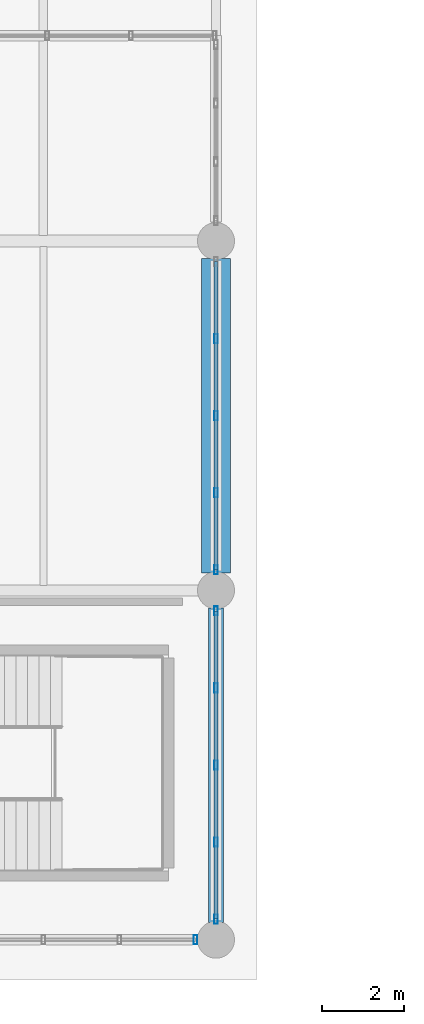
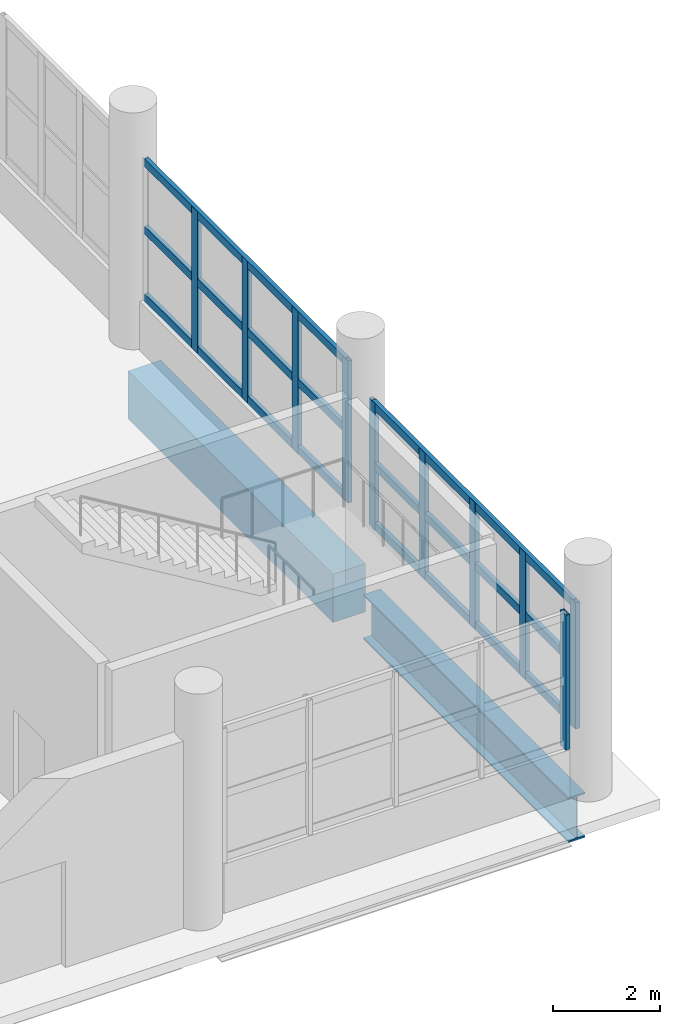
# One storey, part 57 of 107: 16 members, 2 beams, 3 elements without a shape of their own.
"""IFC4 building model written with IfcOpenShell, lengths in metres."""

import ifcopenshell
import ifcopenshell.guid

model = None  # the IFC model being written
_history = None  # IfcOwnerHistory: only IFC2X3 demands one
_inside = {}  # id of a spatial element -> (the spatial element, [elements in it])
_under = {}  # id of a project, library or spatial element -> (it, [spatial elements below it])
_declared = {}  # id of a project -> (the project, [libraries it declares])
_typed = {}  # id of a type object -> (the type object, [elements of that type])
_made_of = {}  # id of a material, layer set ... -> (it, [elements and type objects made of it])


def new_model(schema):
    """Start an empty IFC model of exactly this schema.

    Asked for "IFC4X3", IfcOpenShell would pick the latest addendum, in which some entities
    have other attributes; the version numbers below select the first issue.
    IFC2X3 requires an IfcOwnerHistory on every rooted entity: one is made here for all.
    """
    global model, _history
    if schema == "IFC4X3":
        model = ifcopenshell.file(schema_version=(4, 3, 0, 0))
    else:
        model = ifcopenshell.file(schema=schema)
    _inside.clear()
    _under.clear()
    _declared.clear()
    _typed.clear()
    _made_of.clear()
    _history = None
    if model.schema == "IFC2X3":
        org = make("IfcOrganization", Name="unknown")
        user = make(
            "IfcPersonAndOrganization",
            ThePerson=make("IfcPerson", FamilyName="unknown"),
            TheOrganization=org,
        )
        app = make(
            "IfcApplication",
            ApplicationDeveloper=org,
            Version="unknown",
            ApplicationFullName="unknown",
            ApplicationIdentifier="unknown",
        )
        _history = make(
            "IfcOwnerHistory",
            OwningUser=user,
            OwningApplication=app,
            ChangeAction="ADDED",
            CreationDate=0,
        )
    return model


def make(cls, **values):
    """One entity of the class cls with the attributes given. An attribute that is None is left unset."""
    return model.create_entity(
        cls, **{name: value for name, value in values.items() if value is not None}
    )


def rooted(cls, **values):
    """An entity with a GlobalId (a new one), such as an element, a storey or a relation."""
    return make(cls, GlobalId=ifcopenshell.guid.new(), OwnerHistory=_history, **values)


def si_unit(unit_type, name, prefix=None):
    """IfcSIUnit, for example si_unit("LENGTHUNIT", "METRE", prefix="MILLI")."""
    return make("IfcSIUnit", UnitType=unit_type, Prefix=prefix, Name=name)


def assignment(units):
    """IfcUnitAssignment: the units of a project."""
    return None if units is None else make("IfcUnitAssignment", Units=units)


def point(xyz):
    """IfcCartesianPoint."""
    return None if xyz is None else make("IfcCartesianPoint", Coordinates=xyz)


def direction(xyz):
    """IfcDirection."""
    return None if xyz is None else make("IfcDirection", DirectionRatios=xyz)


def frame(location, z_axis=None, x_axis=None):
    """IfcAxis2Placement3D, a coordinate frame: its origin and axes. An axis left out is left unset."""
    return make(
        "IfcAxis2Placement3D",
        Location=point(location),
        Axis=direction(z_axis),
        RefDirection=direction(x_axis),
    )


def frame_2d(location, x_axis=None):
    """IfcAxis2Placement2D, a coordinate frame in the plane: its origin and x axis."""
    return make(
        "IfcAxis2Placement2D", Location=point(location), RefDirection=direction(x_axis)
    )


def origin():
    """The frame at (0, 0, 0) with its axes left unset."""
    return frame((0.0, 0.0, 0.0))


def origin_2d():
    """The frame at (0, 0) in the plane with its x axis left unset."""
    return frame_2d((0.0, 0.0))


def place(relative_to, where):
    """IfcLocalPlacement: puts the frame where relative to a parent placement (None: the world)."""
    return make(
        "IfcLocalPlacement", PlacementRelTo=relative_to, RelativePlacement=where
    )


def context(
    kind, dimensions, precision=None, world=None, true_north=None, identifier=None
):
    """IfcGeometricRepresentationContext, for example the 3D "Model" context."""
    return make(
        "IfcGeometricRepresentationContext",
        ContextIdentifier=identifier,
        ContextType=kind,
        CoordinateSpaceDimension=dimensions,
        Precision=precision,
        WorldCoordinateSystem=world,
        TrueNorth=true_north,
    )


def subcontext(parent, identifier, kind, view, scale=None):
    """IfcGeometricRepresentationSubContext, for example "Body" below "Model"."""
    return make(
        "IfcGeometricRepresentationSubContext",
        ContextIdentifier=identifier,
        ContextType=kind,
        ParentContext=parent,
        TargetScale=scale,
        TargetView=view,
    )


def project(units=None, contexts=None):
    """IfcProject with its units and contexts."""
    return rooted(
        "IfcProject",
        Name="project",
        RepresentationContexts=contexts,
        UnitsInContext=assignment(units),
    )


def spatial(cls, under=None, at=None, **own):
    """A site, building, storey or space (cls), placed at a placement, below another one or the project."""
    s = rooted(cls, ObjectPlacement=at, **own)
    if under is not None:
        _under.setdefault(under.id(), (under, []))[1].append(s)
    return s


def profile(cls, at=None, kind="AREA", **sizes):
    """A parametric profile (cls). Its sizes go by their IFC names, for example OverallWidth=200.0."""
    return make(cls, ProfileType=kind, Position=at, **sizes)


def rectangle(**sizes):
    """IfcRectangleProfileDef."""
    return profile("IfcRectangleProfileDef", **sizes)


def hollow_rectangle(**sizes):
    """IfcRectangleHollowProfileDef."""
    return profile("IfcRectangleHollowProfileDef", **sizes)


def i_section(**sizes):
    """IfcIShapeProfileDef."""
    return profile("IfcIShapeProfileDef", **sizes)


def extrude(swept, where, along, depth):
    """IfcExtrudedAreaSolid: the profile swept, set in the frame where, extruded along a direction by depth."""
    return make(
        "IfcExtrudedAreaSolid",
        SweptArea=swept,
        Position=where,
        ExtrudedDirection=direction(along),
        Depth=depth,
    )


def shape(context_of_items, identifier, shape_type, items):
    """IfcShapeRepresentation: the items that make up one representation, for example the "Body"."""
    return make(
        "IfcShapeRepresentation",
        ContextOfItems=context_of_items,
        RepresentationIdentifier=identifier,
        RepresentationType=shape_type,
        Items=items,
    )


def material(Name=None, Category=None):
    """IfcMaterial."""
    return make("IfcMaterial", Name=Name, Category=Category)


def material_profile(
    of_material, cross_section, Name=None, Category=None, Priority=None
):
    """IfcMaterialProfile: a cross section and its material."""
    return make(
        "IfcMaterialProfile",
        Name=Name,
        Material=of_material,
        Profile=cross_section,
        Priority=Priority,
        Category=Category,
    )


def profile_set(profiles, Name=None, composite=None):
    """IfcMaterialProfileSet."""
    return make(
        "IfcMaterialProfileSet",
        Name=Name,
        MaterialProfiles=profiles,
        CompositeProfile=composite,
    )


def made_of(thing, what):
    """Note that an element or type object is made of a material, layer set ...; save() writes the relation."""
    if what is not None:
        _made_of.setdefault(what.id(), (what, []))[1].append(thing)
    return thing


def type_object(cls, material=None, **own):
    """A type object (cls), such as IfcWallType, which elements share."""
    return made_of(rooted(cls, **own), material)


def element(
    cls,
    number,
    at=None,
    inside=None,
    cuts=None,
    type_object=None,
    material=None,
    context=None,
    identifier="Body",
    shape_type=None,
    held_by="IfcProductDefinitionShape",
    body=None,
    shapes=None,
    **own,
):
    """One element of the class cls, such as IfcWall. Its Tag is "e" and its number.

    at: its placement. inside: the storey or other place that contains it. cuts: it is an
    opening in that element (IfcRelVoidsElement). A single representation is given by context,
    identifier, shape_type and body (its items); several are given by shapes. held_by: the class
    of the entity that holds the representations. save() writes the other relations.
    """
    e = rooted(cls, Tag="e%d" % number, ObjectPlacement=at, **own)
    if body is not None:
        shapes = [shape(context, identifier, shape_type, body)]
    if shapes is not None:
        e.Representation = make(held_by, Representations=shapes)
    if inside is not None:
        _inside.setdefault(inside.id(), (inside, []))[1].append(e)
    if cuts is not None:
        rooted(
            "IfcRelVoidsElement", RelatingBuildingElement=cuts, RelatedOpeningElement=e
        )
    if type_object is not None:
        _typed.setdefault(type_object.id(), (type_object, []))[1].append(e)
    return made_of(e, material)


def aggregate(whole, parts):
    """IfcRelAggregates: a whole, such as a stair, and the parts it consists of."""
    return rooted("IfcRelAggregates", RelatingObject=whole, RelatedObjects=parts)


def save(model, path):
    """Write the relations noted so far, then the file.

    IfcRelAggregates (storeys below a building ...), IfcRelContainedInSpatialStructure (elements
    in a storey), IfcRelDefinesByType, IfcRelAssociatesMaterial and IfcRelDeclares: one each for
    every whole, place, type object, material and project.
    """
    for whole, parts in _under.values():
        aggregate(whole, parts)
    for where, things in _inside.values():
        rooted(
            "IfcRelContainedInSpatialStructure",
            RelatedElements=things,
            RelatingStructure=where,
        )
    for kind, things in _typed.values():
        rooted("IfcRelDefinesByType", RelatedObjects=things, RelatingType=kind)
    for what, things in _made_of.values():
        rooted("IfcRelAssociatesMaterial", RelatedObjects=things, RelatingMaterial=what)
    for by, libraries in _declared.values():
        rooted("IfcRelDeclares", RelatingContext=by, RelatedDefinitions=libraries)
    model.write(path)


model = new_model("IFC4")

# Units and contexts
model_context = context("Model", 3, precision=1e-05, world=origin(), true_north=direction((0.0, 1.0)))
body_context = subcontext(model_context, "Body", "Model", "MODEL_VIEW")
ifc_project = project(units=[si_unit("LENGTHUNIT", "METRE"), si_unit("AREAUNIT", "SQUARE_METRE"), si_unit("VOLUMEUNIT", "CUBIC_METRE"), si_unit("PLANEANGLEUNIT", "RADIAN"), si_unit("MASSUNIT", "GRAM", prefix="KILO")], contexts=[model_context])

# Site, building, storey
site_placement = place(None, origin())
site = spatial("IfcSite", under=ifc_project, at=site_placement, CompositionType="ELEMENT")
building_placement = place(site_placement, origin())
building = spatial("IfcBuilding", under=site, at=building_placement, Name="Solvento Point Concert Hall", CompositionType="ELEMENT")
storey_placement = place(building_placement, origin())
storey = spatial("IfcBuildingStorey", under=building, at=storey_placement, Name="L00", CompositionType="ELEMENT", Elevation=0.0)

# Beams
ifc_material_1 = material(Name="Concrete C35/45", Category="concrete")
ifc_material_profile_1 = material_profile(ifc_material_1, rectangle(XDim=0.699951171875, YDim=1.10009765625, at=origin_2d()), Name="RC-BM-700X1100")
ifc_profile_set_1 = profile_set([ifc_material_profile_1], Name="Concrete C35/45")
beam_type_1 = type_object("IfcBeamType", Name="Girder_RC_700x1100", PredefinedType="USERDEFINED", material=ifc_profile_set_1)
beam_1_placement = place(storey_placement, frame((208.800048828125, 8.924072265625, -0.964111328125), z_axis=(0.0, 1.0, 0.0), x_axis=(-1.0, 0.0, 0.0)))
element("IfcBeam", 1, at=beam_1_placement, inside=storey, type_object=beam_type_1, Name="Primary girder B-49 L00", ObjectType="GIRDER", PredefinedType="USERDEFINED", context=body_context, shape_type="SweptSolid", body=[
    extrude(rectangle(XDim=0.699951171875, YDim=1.10009765625, at=origin_2d()), origin(), (0.0, 0.0, 1.0), 7.65185546875),
])
ifc_material_2 = material(Name="Structural Steel ASTM A992 Grade 50", Category="steel")
ifc_material_profile_2 = material_profile(ifc_material_2, i_section(OverallWidth=0.361083984375, OverallDepth=1.02587890625, WebThickness=0.01904296875, FlangeThickness=0.0361328125, at=origin_2d()), Name="W40X249")
ifc_profile_set_2 = profile_set([ifc_material_profile_2], Name="Structural Steel ASTM A992 Grade 50")
beam_type_2 = type_object("IfcBeamType", Name="Girder_W40X249", PredefinedType="USERDEFINED", material=ifc_profile_set_2)
beam_2_placement = place(storey_placement, frame((208.800048828125, 0.424072265625, -0.927001953125), z_axis=(0.0, 1.0, 0.0), x_axis=(-1.0, 0.0, 0.0)))
element("IfcBeam", 2, at=beam_2_placement, inside=storey, type_object=beam_type_2, Name="Primary girder B-29 L00", ObjectType="GIRDER", PredefinedType="USERDEFINED", context=body_context, shape_type="SweptSolid", body=[
    extrude(i_section(OverallWidth=0.361083984375, OverallDepth=1.02587890625, WebThickness=0.01904296875, FlangeThickness=0.0361328125, at=origin_2d()), origin(), (0.0, 0.0, 1.0), 7.65185546875),
])

# Curtain wall, members
ifc_material_3 = material(Name="Anodized Bronze Aluminium", Category="aluminium")
curtain_wall_type = type_object("IfcCurtainWallType", Name="CurtainWall_CafeVeranda", PredefinedType="USERDEFINED", material=ifc_material_3)
curtain_wall_1_placement = place(storey_placement, origin())
curtain_wall_1 = element("IfcCurtainWall", 3, at=curtain_wall_1_placement, inside=storey, type_object=curtain_wall_type, Name="Unitised curtain wall CW-42 UCW-L00-046", ObjectType="UNITISED CURTAIN WALL", PredefinedType="USERDEFINED")
ifc_material_4 = material(Name="Anodized Bronze Aluminium", Category="aluminium")
ifc_material_profile_3 = material_profile(ifc_material_4, hollow_rectangle(XDim=0.090087890625, YDim=0.219970703125, WallThickness=0.00439453125, at=origin_2d()), Name="CW-MUL-90X220")
ifc_profile_set_3 = profile_set([ifc_material_profile_3], Name="Anodized Bronze Aluminium")
member_type_1 = type_object("IfcMemberType", Name="Mullion_90x220", PredefinedType="MULLION", material=ifc_profile_set_3)
member_1_placement = place(storey_placement, frame((208.800048828125, 0.5, 1.1201171875), z_axis=(0.0, 0.0, 1.0), x_axis=(1.0, 0.0, 0.0)))
member_1 = element("IfcMember", 4, at=member_1_placement, type_object=member_type_1, Name="Curtain wall mullion ML-02", PredefinedType="MULLION", context=body_context, shape_type="SweptSolid", body=[
    extrude(hollow_rectangle(XDim=0.090087890625, YDim=0.219970703125, WallThickness=0.00439453125, at=origin_2d()), origin(), (0.0, 0.0, 1.0), 2.8837890625),
])
member_2_placement = place(storey_placement, frame((208.800048828125, 2.375, 1.1201171875), z_axis=(0.0, 0.0, 1.0), x_axis=(1.0, 0.0, 0.0)))
member_2 = element("IfcMember", 5, at=member_2_placement, type_object=member_type_1, Name="Curtain wall mullion ML-02", PredefinedType="MULLION", context=body_context, shape_type="SweptSolid", body=[
    extrude(hollow_rectangle(XDim=0.090087890625, YDim=0.219970703125, WallThickness=0.00439453125, at=origin_2d()), origin(), (0.0, 0.0, 1.0), 2.8837890625),
])
member_3_placement = place(storey_placement, frame((208.800048828125, 4.25, 1.1201171875), z_axis=(0.0, 0.0, 1.0), x_axis=(1.0, 0.0, 0.0)))
member_3 = element("IfcMember", 6, at=member_3_placement, type_object=member_type_1, Name="Curtain wall mullion ML-02", PredefinedType="MULLION", context=body_context, shape_type="SweptSolid", body=[
    extrude(hollow_rectangle(XDim=0.090087890625, YDim=0.219970703125, WallThickness=0.00439453125, at=origin_2d()), origin(), (0.0, 0.0, 1.0), 2.8837890625),
])
member_4_placement = place(storey_placement, frame((208.800048828125, 6.125, 1.1201171875), z_axis=(0.0, 0.0, 1.0), x_axis=(1.0, 0.0, 0.0)))
member_4 = element("IfcMember", 7, at=member_4_placement, type_object=member_type_1, Name="Curtain wall mullion ML-02", PredefinedType="MULLION", context=body_context, shape_type="SweptSolid", body=[
    extrude(hollow_rectangle(XDim=0.090087890625, YDim=0.219970703125, WallThickness=0.00439453125, at=origin_2d()), origin(), (0.0, 0.0, 1.0), 2.8837890625),
])
member_5_placement = place(storey_placement, frame((208.800048828125, 8.0, 1.1201171875), z_axis=(0.0, 0.0, 1.0), x_axis=(1.0, 0.0, 0.0)))
member_5 = element("IfcMember", 8, at=member_5_placement, type_object=member_type_1, Name="Curtain wall mullion ML-02", PredefinedType="MULLION", context=body_context, shape_type="SweptSolid", body=[
    extrude(hollow_rectangle(XDim=0.090087890625, YDim=0.219970703125, WallThickness=0.00439453125, at=origin_2d()), origin(), (0.0, 0.0, 1.0), 2.8837890625),
])

curtain_wall_2_placement = place(storey_placement, origin())
curtain_wall_2 = element("IfcCurtainWall", 9, at=curtain_wall_2_placement, inside=storey, type_object=curtain_wall_type, Name="Unitised curtain wall CW-42 UCW-L00-047", ObjectType="UNITISED CURTAIN WALL", PredefinedType="USERDEFINED")
member_6_placement = place(storey_placement, frame((208.800048828125, 9.0, 1.1201171875), z_axis=(0.0, 0.0, 1.0), x_axis=(1.0, 0.0, 0.0)))
member_6 = element("IfcMember", 10, at=member_6_placement, type_object=member_type_1, Name="Curtain wall mullion ML-02", PredefinedType="MULLION", context=body_context, shape_type="SweptSolid", body=[
    extrude(hollow_rectangle(XDim=0.090087890625, YDim=0.219970703125, WallThickness=0.00439453125, at=origin_2d()), origin(), (0.0, 0.0, 1.0), 3.23583984375),
])
member_7_placement = place(storey_placement, frame((208.800048828125, 10.875, 1.1201171875), z_axis=(0.0, 0.0, 1.0), x_axis=(1.0, 0.0, 0.0)))
member_7 = element("IfcMember", 11, at=member_7_placement, type_object=member_type_1, Name="Curtain wall mullion ML-02", PredefinedType="MULLION", context=body_context, shape_type="SweptSolid", body=[
    extrude(hollow_rectangle(XDim=0.090087890625, YDim=0.219970703125, WallThickness=0.00439453125, at=origin_2d()), origin(), (0.0, 0.0, 1.0), 3.23583984375),
])
member_8_placement = place(storey_placement, frame((208.800048828125, 12.75, 1.1201171875), z_axis=(0.0, 0.0, 1.0), x_axis=(1.0, 0.0, 0.0)))
member_8 = element("IfcMember", 12, at=member_8_placement, type_object=member_type_1, Name="Curtain wall mullion ML-02", PredefinedType="MULLION", context=body_context, shape_type="SweptSolid", body=[
    extrude(hollow_rectangle(XDim=0.090087890625, YDim=0.219970703125, WallThickness=0.00439453125, at=origin_2d()), origin(), (0.0, 0.0, 1.0), 3.23583984375),
])
member_9_placement = place(storey_placement, frame((208.800048828125, 14.625, 1.1201171875), z_axis=(0.0, 0.0, 1.0), x_axis=(1.0, 0.0, 0.0)))
member_9 = element("IfcMember", 13, at=member_9_placement, type_object=member_type_1, Name="Curtain wall mullion ML-02", PredefinedType="MULLION", context=body_context, shape_type="SweptSolid", body=[
    extrude(hollow_rectangle(XDim=0.090087890625, YDim=0.219970703125, WallThickness=0.00439453125, at=origin_2d()), origin(), (0.0, 0.0, 1.0), 3.23583984375),
])

# Curtain wall, member
curtain_wall_3_placement = place(storey_placement, origin())
curtain_wall_3 = element("IfcCurtainWall", 14, at=curtain_wall_3_placement, inside=storey, type_object=curtain_wall_type, Name="Unitised curtain wall CW-42 UCW-L00-051", ObjectType="UNITISED CURTAIN WALL", PredefinedType="USERDEFINED")
member_10_placement = place(storey_placement, frame((208.300048828125, 0.0, 1.1201171875), z_axis=(0.0, 0.0, 1.0), x_axis=(1.0, 0.0, 0.0)))
member_10 = element("IfcMember", 15, at=member_10_placement, type_object=member_type_1, Name="Curtain wall mullion ML-02", PredefinedType="MULLION", context=body_context, shape_type="SweptSolid", body=[
    extrude(hollow_rectangle(XDim=0.090087890625, YDim=0.219970703125, WallThickness=0.00439453125, at=origin_2d()), origin(), (0.0, 0.0, 1.0), 3.073974609375),
])
aggregate(curtain_wall_3, [member_10])

# Member
ifc_material_5 = material(Name="Anodized Bronze Aluminium", Category="aluminium")
ifc_material_profile_4 = material_profile(ifc_material_5, hollow_rectangle(XDim=0.090087890625, YDim=0.179931640625, WallThickness=0.00439453125, at=origin_2d()), Name="CW-TRN-90X180")
ifc_profile_set_4 = profile_set([ifc_material_profile_4], Name="Anodized Bronze Aluminium")
member_type_2 = type_object("IfcMemberType", Name="Transom_90x180", PredefinedType="USERDEFINED", material=ifc_profile_set_4)
member_11_placement = place(storey_placement, frame((208.800048828125, 0.5, 1.199951171875), z_axis=(0.0, 1.0, 0.0), x_axis=(-1.0, 0.0, 0.0)))
member_11 = element("IfcMember", 16, at=member_11_placement, type_object=member_type_2, Name="Curtain wall transom TR-02", ObjectType="TRANSOM", PredefinedType="USERDEFINED", context=body_context, shape_type="SweptSolid", body=[
    extrude(hollow_rectangle(XDim=0.090087890625, YDim=0.179931640625, WallThickness=0.00439453125, at=origin_2d()), origin(), (0.0, 0.0, 1.0), 7.5),
])

member_12_placement = place(storey_placement, frame((208.800048828125, 0.5, 2.56201171875), z_axis=(0.0, 1.0, 0.0), x_axis=(-1.0, 0.0, 0.0)))
member_12 = element("IfcMember", 17, at=member_12_placement, type_object=member_type_2, Name="Curtain wall transom TR-02", ObjectType="TRANSOM", PredefinedType="USERDEFINED", context=body_context, shape_type="SweptSolid", body=[
    extrude(hollow_rectangle(XDim=0.090087890625, YDim=0.179931640625, WallThickness=0.00439453125, at=origin_2d()), origin(), (0.0, 0.0, 1.0), 7.5),
])

member_13_placement = place(storey_placement, frame((208.800048828125, 0.5, 3.924072265625), z_axis=(0.0, 1.0, 0.0), x_axis=(-1.0, 0.0, 0.0)))
member_13 = element("IfcMember", 18, at=member_13_placement, type_object=member_type_2, Name="Curtain wall transom TR-02", ObjectType="TRANSOM", PredefinedType="USERDEFINED", context=body_context, shape_type="SweptSolid", body=[
    extrude(hollow_rectangle(XDim=0.090087890625, YDim=0.179931640625, WallThickness=0.00439453125, at=origin_2d()), origin(), (0.0, 0.0, 1.0), 7.5),
])

aggregate(curtain_wall_1, [member_1, member_2, member_3, member_4, member_5, member_11, member_12, member_13])

member_14_placement = place(storey_placement, frame((208.800048828125, 9.0, 1.199951171875), z_axis=(0.0, 1.0, 0.0), x_axis=(-1.0, 0.0, 0.0)))
member_14 = element("IfcMember", 19, at=member_14_placement, type_object=member_type_2, Name="Curtain wall transom TR-02", ObjectType="TRANSOM", PredefinedType="USERDEFINED", context=body_context, shape_type="SweptSolid", body=[
    extrude(hollow_rectangle(XDim=0.090087890625, YDim=0.179931640625, WallThickness=0.00439453125, at=origin_2d()), origin(), (0.0, 0.0, 1.0), 7.5),
])

member_15_placement = place(storey_placement, frame((208.800048828125, 9.0, 2.738037109375), z_axis=(0.0, 1.0, 0.0), x_axis=(-1.0, 0.0, 0.0)))
member_15 = element("IfcMember", 20, at=member_15_placement, type_object=member_type_2, Name="Curtain wall transom TR-02", ObjectType="TRANSOM", PredefinedType="USERDEFINED", context=body_context, shape_type="SweptSolid", body=[
    extrude(hollow_rectangle(XDim=0.090087890625, YDim=0.179931640625, WallThickness=0.00439453125, at=origin_2d()), origin(), (0.0, 0.0, 1.0), 7.5),
])

member_16_placement = place(storey_placement, frame((208.800048828125, 9.0, 4.27587890625), z_axis=(0.0, 1.0, 0.0), x_axis=(-1.0, 0.0, 0.0)))
member_16 = element("IfcMember", 21, at=member_16_placement, type_object=member_type_2, Name="Curtain wall transom TR-02", ObjectType="TRANSOM", PredefinedType="USERDEFINED", context=body_context, shape_type="SweptSolid", body=[
    extrude(hollow_rectangle(XDim=0.090087890625, YDim=0.179931640625, WallThickness=0.00439453125, at=origin_2d()), origin(), (0.0, 0.0, 1.0), 7.5),
])

aggregate(curtain_wall_2, [member_6, member_7, member_8, member_9, member_14, member_15, member_16])

save(model, "model.ifc")
